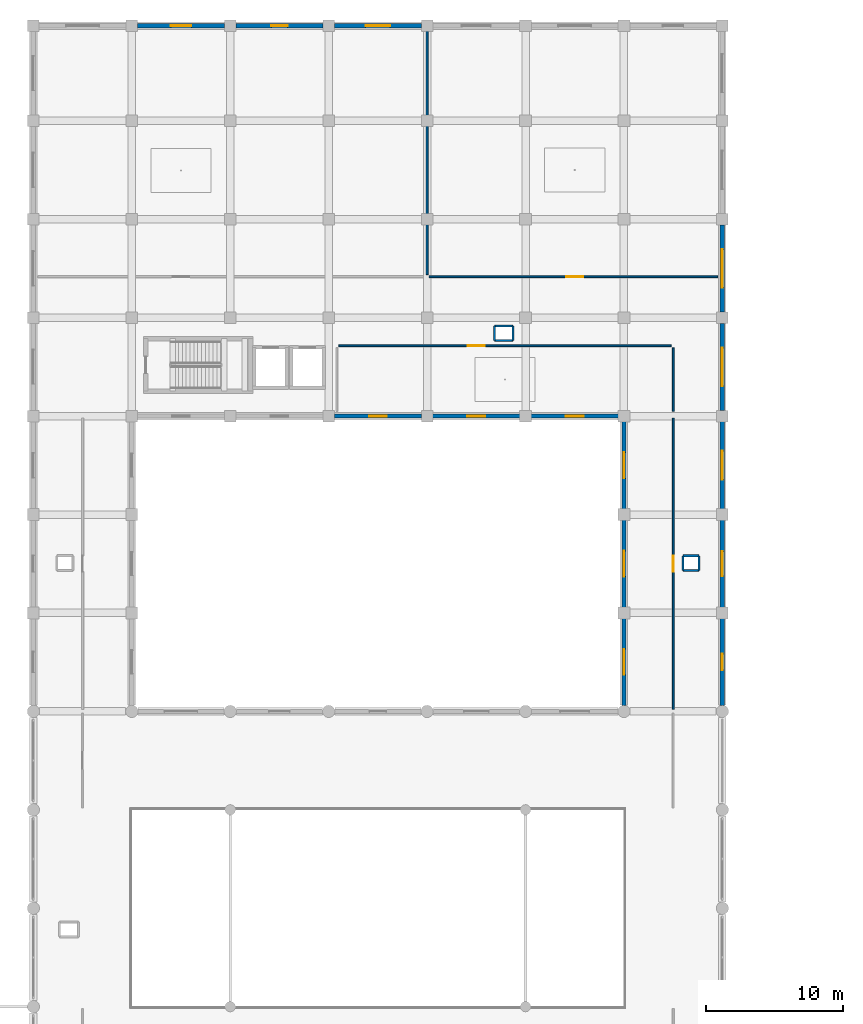
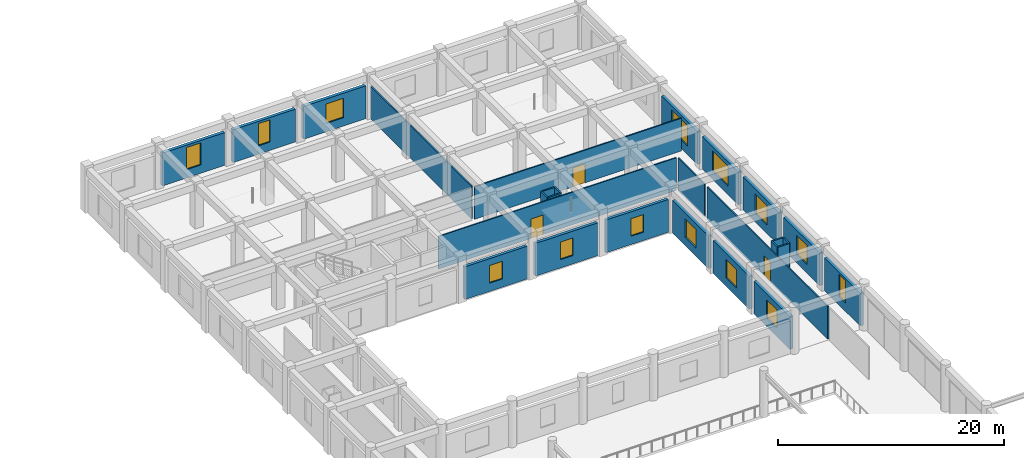
# One storey, part 34 of 54: 27 walls, 14 windows, 3 doors, 17 openings.
"""IFC4 building model written with IfcOpenShell, lengths in metres."""

from ifc_helpers import new_model, si_unit, direction, frame, frame_2d, origin, place, context, subcontext, project, spatial, rectangle, extrude, material, layer, layer_set, type_object, element, fill, save


model = new_model("IFC4")

# Units and contexts
model_context = context("Model", 3, precision=1e-05, world=origin(), true_north=direction((0.0, 1.0)))
body_context = subcontext(model_context, "Body", "Model", "MODEL_VIEW")
ifc_project = project(units=[si_unit("LENGTHUNIT", "METRE"), si_unit("AREAUNIT", "SQUARE_METRE"), si_unit("VOLUMEUNIT", "CUBIC_METRE"), si_unit("PLANEANGLEUNIT", "RADIAN"), si_unit("MASSUNIT", "GRAM", prefix="KILO")], contexts=[model_context])

# Site, building, storey
site_placement = place(None, origin())
site = spatial("IfcSite", under=ifc_project, at=site_placement, CompositionType="ELEMENT")
building_placement = place(site_placement, origin())
building = spatial("IfcBuilding", under=site, at=building_placement, Name="Kazehaya Institute of Natural Sciences", CompositionType="ELEMENT")
storey_placement = place(building_placement, frame((0.0, 0.0, 5.39990234375)))
storey = spatial("IfcBuildingStorey", under=building, at=storey_placement, Name="L01", CompositionType="ELEMENT", Elevation=5.39990234375)

# Wall, opening, window
ifc_material_1 = material(Name="Precast concrete Fc36", Category="concrete")
ifc_layer_1 = layer(ifc_material_1, 0.2900390625, Name="Precast concrete Fc36", Category="concrete")
ifc_layer_set_1 = layer_set([ifc_layer_1], Name="Precast concrete Fc36")
wall_type_1 = type_object("IfcWallType", Name="WL-EXT-290", PredefinedType="SOLIDWALL", material=ifc_layer_set_1)
wall_1_placement = place(storey_placement, frame((104.590087890625, 86.0, 0.0), z_axis=(0.0, 0.0, 1.0), x_axis=(-1.0, 0.0, 0.0)))
wall_1 = element("IfcWall", 1, at=wall_1_placement, inside=storey, type_object=wall_type_1, Name="L01 exterior wall EW-L01-0188", PredefinedType="SOLIDWALL", context=body_context, shape_type="SweptSolid", body=[
    extrude(rectangle(XDim=6.380126953125, YDim=0.2900390625, at=frame_2d((3.18994140625, 0.0))), origin(), (0.0, 0.0, 1.0), 3.5400390625),
])
opening_1_placement = place(wall_1_placement, frame((2.5400390625, 0.0, 0.89990234375)))
opening_1 = element("IfcOpeningElement", 2, at=opening_1_placement, cuts=wall_1, Name="Opening W26", PredefinedType="OPENING", context=body_context, shape_type="SweptSolid", body=[
    extrude(rectangle(XDim=1.300048828125, YDim=1.89990234375, at=frame_2d((0.64990234375, 0.949951171875))), frame((0.0, 0.155029296875, 0.0), z_axis=(0.0, -1.0, 0.0), x_axis=(1.0, 0.0, 0.0)), (0.0, 0.0, 1.0), 0.31005859375),
])
ifc_material_2 = material(Name="Low-E double-glazed aluminium window", Category="aluminium")
window_type_1 = type_object("IfcWindowType", Name="WN-26", PartitioningType="SINGLE_PANEL", PredefinedType="WINDOW", material=ifc_material_2)
window_1_placement = place(opening_1_placement, origin())
window_1 = element("IfcWindow", 3, at=window_1_placement, inside=storey, type_object=window_type_1, Name="L01 facade window 0090", OverallHeight=1.89990234375, OverallWidth=1.300048828125, PartitioningType="SINGLE_PANEL", PredefinedType="WINDOW", context=body_context, shape_type="SweptSolid", body=[
    extrude(rectangle(XDim=1.300048828125, YDim=1.89990234375, at=frame_2d((0.64990234375, 0.949951171875))), frame((0.0, 0.030029296875, 0.0), z_axis=(0.0, -1.0, 0.0), x_axis=(1.0, 0.0, 0.0)), (0.0, 0.0, 1.0), 0.06005859375),
])
fill(opening_1, window_1)

wall_2_placement = place(storey_placement, frame((97.389892578125, 86.0, 0.0), z_axis=(0.0, 0.0, 1.0), x_axis=(-1.0, 0.0, 0.0)))
wall_2 = element("IfcWall", 4, at=wall_2_placement, inside=storey, type_object=wall_type_1, Name="L01 exterior wall EW-L01-0189", PredefinedType="SOLIDWALL", context=body_context, shape_type="SweptSolid", body=[
    extrude(rectangle(XDim=6.3798828125, YDim=0.2900390625, at=frame_2d((3.18994140625, 0.0))), origin(), (0.0, 0.0, 1.0), 3.5400390625),
])
opening_2_placement = place(wall_2_placement, frame((2.5400390625, 0.0, 0.89990234375)))
opening_2 = element("IfcOpeningElement", 5, at=opening_2_placement, cuts=wall_2, Name="Opening W26", PredefinedType="OPENING", context=body_context, shape_type="SweptSolid", body=[
    extrude(rectangle(XDim=1.300048828125, YDim=1.89990234375, at=frame_2d((0.64990234375, 0.949951171875))), frame((0.0, 0.155029296875, 0.0), z_axis=(0.0, -1.0, 0.0), x_axis=(1.0, 0.0, 0.0)), (0.0, 0.0, 1.0), 0.31005859375),
])
window_2_placement = place(opening_2_placement, origin())
window_2 = element("IfcWindow", 6, at=window_2_placement, inside=storey, type_object=window_type_1, Name="L01 facade window 0091", OverallHeight=1.89990234375, OverallWidth=1.300048828125, PartitioningType="SINGLE_PANEL", PredefinedType="WINDOW", context=body_context, shape_type="SweptSolid", body=[
    extrude(rectangle(XDim=1.300048828125, YDim=1.89990234375, at=frame_2d((0.64990234375, 0.949951171875))), frame((0.0, 0.030029296875, 0.0), z_axis=(0.0, -1.0, 0.0), x_axis=(1.0, 0.0, 0.0)), (0.0, 0.0, 1.0), 0.06005859375),
])
fill(opening_2, window_2)

wall_3_placement = place(storey_placement, frame((90.18994140625, 86.0, 0.0), z_axis=(0.0, 0.0, 1.0), x_axis=(-1.0, 0.0, 0.0)))
wall_3 = element("IfcWall", 7, at=wall_3_placement, inside=storey, type_object=wall_type_1, Name="L01 exterior wall EW-L01-0190", PredefinedType="SOLIDWALL", context=body_context, shape_type="SweptSolid", body=[
    extrude(rectangle(XDim=6.3798828125, YDim=0.2900390625, at=frame_2d((3.18994140625, 0.0))), origin(), (0.0, 0.0, 1.0), 3.5400390625),
])
opening_3_placement = place(wall_3_placement, frame((2.5400390625, 0.0, 0.89990234375)))
opening_3 = element("IfcOpeningElement", 8, at=opening_3_placement, cuts=wall_3, Name="Opening W26", PredefinedType="OPENING", context=body_context, shape_type="SweptSolid", body=[
    extrude(rectangle(XDim=1.300048828125, YDim=1.89990234375, at=frame_2d((0.64990234375, 0.949951171875))), frame((0.0, 0.155029296875, 0.0), z_axis=(0.0, -1.0, 0.0), x_axis=(1.0, 0.0, 0.0)), (0.0, 0.0, 1.0), 0.31005859375),
])
window_3_placement = place(opening_3_placement, origin())
window_3 = element("IfcWindow", 9, at=window_3_placement, inside=storey, type_object=window_type_1, Name="L01 facade window 0092", OverallHeight=1.89990234375, OverallWidth=1.300048828125, PartitioningType="SINGLE_PANEL", PredefinedType="WINDOW", context=body_context, shape_type="SweptSolid", body=[
    extrude(rectangle(XDim=1.300048828125, YDim=1.89990234375, at=frame_2d((0.64990234375, 0.949951171875))), frame((0.0, 0.030029296875, 0.0), z_axis=(0.0, -1.0, 0.0), x_axis=(1.0, 0.0, 0.0)), (0.0, 0.0, 1.0), 0.06005859375),
])
fill(opening_3, window_3)

ifc_layer_2 = layer(ifc_material_1, 0.31005859375, Name="Precast concrete Fc36", Category="concrete")
ifc_layer_set_2 = layer_set([ifc_layer_2], Name="Precast concrete Fc36")
wall_type_2 = type_object("IfcWallType", Name="WL-EXT-310", PredefinedType="SOLIDWALL", material=ifc_layer_set_2)
wall_4_placement = place(storey_placement, frame((105.0, 64.8349609375, 0.0), z_axis=(0.0, 0.0, 1.0), x_axis=(0.0, 1.0, 0.0)))
wall_4 = element("IfcWall", 10, at=wall_4_placement, inside=storey, type_object=wall_type_2, Name="L01 exterior wall EW-L01-0164", PredefinedType="SOLIDWALL", context=body_context, shape_type="SweptSolid", body=[
    extrude(rectangle(XDim=6.35498046875, YDim=0.31005859375, at=frame_2d((3.177490234375, 0.0))), origin(), (0.0, 0.0, 1.0), 3.5400390625),
])
opening_4_placement = place(wall_4_placement, frame((2.2275390625, 0.0, 0.89990234375)))
opening_4 = element("IfcOpeningElement", 11, at=opening_4_placement, cuts=wall_4, Name="Opening W23", PredefinedType="OPENING", context=body_context, shape_type="SweptSolid", body=[
    extrude(rectangle(XDim=1.89990234375, YDim=2.0, at=frame_2d((0.949951171875, 1.0))), frame((0.0, 0.1650390625, 0.0), z_axis=(0.0, -1.0, 0.0), x_axis=(1.0, 0.0, 0.0)), (0.0, 0.0, 1.0), 0.330078125),
])
window_type_2 = type_object("IfcWindowType", Name="WN-23", PartitioningType="DOUBLE_PANEL_VERTICAL", PredefinedType="WINDOW", material=ifc_material_2)
window_4_placement = place(opening_4_placement, origin())
window_4 = element("IfcWindow", 12, at=window_4_placement, inside=storey, type_object=window_type_2, Name="L01 facade window 0066", OverallHeight=2.0, OverallWidth=1.89990234375, PartitioningType="DOUBLE_PANEL_VERTICAL", PredefinedType="WINDOW", context=body_context, shape_type="SweptSolid", body=[
    extrude(rectangle(XDim=1.89990234375, YDim=2.0, at=frame_2d((0.949951171875, 1.0))), frame((0.0, 0.030029296875, 0.0), z_axis=(0.0, -1.0, 0.0), x_axis=(1.0, 0.0, 0.0)), (0.0, 0.0, 1.0), 0.06005859375),
])
fill(opening_4, window_4)

wall_5_placement = place(storey_placement, frame((105.0, 72.010009765625, 0.0), z_axis=(0.0, 0.0, 1.0), x_axis=(0.0, 1.0, 0.0)))
wall_5 = element("IfcWall", 13, at=wall_5_placement, inside=storey, type_object=wall_type_2, Name="L01 exterior wall EW-L01-0168", PredefinedType="SOLIDWALL", context=body_context, shape_type="SweptSolid", body=[
    extrude(rectangle(XDim=6.3798828125, YDim=0.31005859375, at=frame_2d((3.18994140625, 0.0))), origin(), (0.0, 0.0, 1.0), 3.5400390625),
])
opening_5_placement = place(wall_5_placement, frame((2.239990234375, 0.0, 0.89990234375)))
opening_5 = element("IfcOpeningElement", 14, at=opening_5_placement, cuts=wall_5, Name="Opening W23", PredefinedType="OPENING", context=body_context, shape_type="SweptSolid", body=[
    extrude(rectangle(XDim=1.89990234375, YDim=2.0, at=frame_2d((0.949951171875, 1.0))), frame((0.0, 0.1650390625, 0.0), z_axis=(0.0, -1.0, 0.0), x_axis=(1.0, 0.0, 0.0)), (0.0, 0.0, 1.0), 0.330078125),
])
window_5_placement = place(opening_5_placement, origin())
window_5 = element("IfcWindow", 15, at=window_5_placement, inside=storey, type_object=window_type_2, Name="L01 facade window 0070", OverallHeight=2.0, OverallWidth=1.89990234375, PartitioningType="DOUBLE_PANEL_VERTICAL", PredefinedType="WINDOW", context=body_context, shape_type="SweptSolid", body=[
    extrude(rectangle(XDim=1.89990234375, YDim=2.0, at=frame_2d((0.949951171875, 1.0))), frame((0.0, 0.030029296875, 0.0), z_axis=(0.0, -1.0, 0.0), x_axis=(1.0, 0.0, 0.0)), (0.0, 0.0, 1.0), 0.06005859375),
])
fill(opening_5, window_5)

wall_6_placement = place(storey_placement, frame((105.0, 79.2099609375, 0.0), z_axis=(0.0, 0.0, 1.0), x_axis=(0.0, 1.0, 0.0)))
wall_6 = element("IfcWall", 16, at=wall_6_placement, inside=storey, type_object=wall_type_2, Name="L01 exterior wall EW-L01-0172", PredefinedType="SOLIDWALL", context=body_context, shape_type="SweptSolid", body=[
    extrude(rectangle(XDim=6.380126953125, YDim=0.31005859375, at=frame_2d((3.18994140625, 0.0))), origin(), (0.0, 0.0, 1.0), 3.5400390625),
])
opening_6_placement = place(wall_6_placement, frame((2.239990234375, 0.0, 0.89990234375)))
opening_6 = element("IfcOpeningElement", 17, at=opening_6_placement, cuts=wall_6, Name="Opening W23", PredefinedType="OPENING", context=body_context, shape_type="SweptSolid", body=[
    extrude(rectangle(XDim=1.89990234375, YDim=2.0, at=frame_2d((0.949951171875, 1.0))), frame((0.0, 0.1650390625, 0.0), z_axis=(0.0, -1.0, 0.0), x_axis=(1.0, 0.0, 0.0)), (0.0, 0.0, 1.0), 0.330078125),
])
window_6_placement = place(opening_6_placement, origin())
window_6 = element("IfcWindow", 18, at=window_6_placement, inside=storey, type_object=window_type_2, Name="L01 facade window 0074", OverallHeight=2.0, OverallWidth=1.89990234375, PartitioningType="DOUBLE_PANEL_VERTICAL", PredefinedType="WINDOW", context=body_context, shape_type="SweptSolid", body=[
    extrude(rectangle(XDim=1.89990234375, YDim=2.0, at=frame_2d((0.949951171875, 1.0))), frame((0.0, 0.030029296875, 0.0), z_axis=(0.0, -1.0, 0.0), x_axis=(1.0, 0.0, 0.0)), (0.0, 0.0, 1.0), 0.06005859375),
])
fill(opening_6, window_6)

ifc_layer_3 = layer(ifc_material_1, 0.320068359375, Name="Precast concrete Fc36", Category="concrete")
ifc_layer_set_3 = layer_set([ifc_layer_3], Name="Precast concrete Fc36")
wall_type_3 = type_object("IfcWallType", Name="WL-EXT-320", PredefinedType="SOLIDWALL", material=ifc_layer_set_3)
wall_7_placement = place(storey_placement, frame((112.199951171875, 71.18994140625, 0.0), z_axis=(0.0, 0.0, 1.0), x_axis=(0.0, -1.0, 0.0)))
wall_7 = element("IfcWall", 19, at=wall_7_placement, inside=storey, type_object=wall_type_3, Name="L01 exterior wall EW-L01-0162", PredefinedType="SOLIDWALL", context=body_context, shape_type="SweptSolid", body=[
    extrude(rectangle(XDim=6.35498046875, YDim=0.320068359375, at=frame_2d((3.177490234375, 0.0))), origin(), (0.0, 0.0, 1.0), 3.5400390625),
])
opening_7_placement = place(wall_7_placement, frame((2.577392578125, 0.0, 0.89990234375)))
opening_7 = element("IfcOpeningElement", 20, at=opening_7_placement, cuts=wall_7, Name="Opening W05", PredefinedType="OPENING", context=body_context, shape_type="SweptSolid", body=[
    extrude(rectangle(XDim=1.199951171875, YDim=2.39990234375, at=frame_2d((0.60009765625, 1.199951171875))), frame((0.0, 0.169921875, 0.0), z_axis=(0.0, -1.0, 0.0), x_axis=(1.0, 0.0, 0.0)), (0.0, 0.0, 1.0), 0.340087890625),
])
window_type_3 = type_object("IfcWindowType", Name="WN-05", PartitioningType="SINGLE_PANEL", PredefinedType="WINDOW", material=ifc_material_2)
window_7_placement = place(opening_7_placement, origin())
window_7 = element("IfcWindow", 21, at=window_7_placement, inside=storey, type_object=window_type_3, Name="L01 facade window 0064", OverallHeight=2.39990234375, OverallWidth=1.199951171875, PartitioningType="SINGLE_PANEL", PredefinedType="WINDOW", context=body_context, shape_type="SweptSolid", body=[
    extrude(rectangle(XDim=1.199951171875, YDim=2.39990234375, at=frame_2d((0.60009765625, 1.199951171875))), frame((0.0, 0.030029296875, 0.0), z_axis=(0.0, -1.0, 0.0), x_axis=(1.0, 0.0, 0.0)), (0.0, 0.0, 1.0), 0.06005859375),
])
fill(opening_7, window_7)

wall_8_placement = place(storey_placement, frame((112.199951171875, 78.389892578125, 0.0), z_axis=(0.0, 0.0, 1.0), x_axis=(0.0, -1.0, 0.0)))
wall_8 = element("IfcWall", 22, at=wall_8_placement, inside=storey, type_object=wall_type_3, Name="L01 exterior wall EW-L01-0166", PredefinedType="SOLIDWALL", context=body_context, shape_type="SweptSolid", body=[
    extrude(rectangle(XDim=6.3798828125, YDim=0.320068359375, at=frame_2d((3.18994140625, 0.0))), origin(), (0.0, 0.0, 1.0), 3.5400390625),
])
opening_8_placement = place(wall_8_placement, frame((2.2900390625, 0.0, 0.89990234375)))
opening_8 = element("IfcOpeningElement", 23, at=opening_8_placement, cuts=wall_8, Name="Opening W06", PredefinedType="OPENING", context=body_context, shape_type="SweptSolid", body=[
    extrude(rectangle(XDim=1.800048828125, YDim=2.10009765625, at=frame_2d((0.89990234375, 1.050048828125))), frame((0.0, 0.169921875, 0.0), z_axis=(0.0, -1.0, 0.0), x_axis=(1.0, 0.0, 0.0)), (0.0, 0.0, 1.0), 0.340087890625),
])
window_type_4 = type_object("IfcWindowType", Name="WN-06", PartitioningType="DOUBLE_PANEL_VERTICAL", PredefinedType="WINDOW", material=ifc_material_2)
window_8_placement = place(opening_8_placement, origin())
window_8 = element("IfcWindow", 24, at=window_8_placement, inside=storey, type_object=window_type_4, Name="L01 facade window 0068", OverallHeight=2.10009765625, OverallWidth=1.800048828125, PartitioningType="DOUBLE_PANEL_VERTICAL", PredefinedType="WINDOW", context=body_context, shape_type="SweptSolid", body=[
    extrude(rectangle(XDim=1.800048828125, YDim=2.10009765625, at=frame_2d((0.89990234375, 1.050048828125))), frame((0.0, 0.030029296875, 0.0), z_axis=(0.0, -1.0, 0.0), x_axis=(1.0, 0.0, 0.0)), (0.0, 0.0, 1.0), 0.06005859375),
])
fill(opening_8, window_8)

wall_9_placement = place(storey_placement, frame((112.199951171875, 85.590087890625, 0.0), z_axis=(0.0, 0.0, 1.0), x_axis=(0.0, -1.0, 0.0)))
wall_9 = element("IfcWall", 25, at=wall_9_placement, inside=storey, type_object=wall_type_3, Name="L01 exterior wall EW-L01-0170", PredefinedType="SOLIDWALL", context=body_context, shape_type="SweptSolid", body=[
    extrude(rectangle(XDim=6.380126953125, YDim=0.320068359375, at=frame_2d((3.18994140625, 0.0))), origin(), (0.0, 0.0, 1.0), 3.5400390625),
])
opening_9_placement = place(wall_9_placement, frame((2.139892578125, 0.0, 0.89990234375)))
opening_9 = element("IfcOpeningElement", 26, at=opening_9_placement, cuts=wall_9, Name="Opening W07", PredefinedType="OPENING", context=body_context, shape_type="SweptSolid", body=[
    extrude(rectangle(XDim=2.10009765625, YDim=2.10009765625, at=frame_2d((1.050048828125, 1.050048828125))), frame((0.0, 0.169921875, 0.0), z_axis=(0.0, -1.0, 0.0), x_axis=(1.0, 0.0, 0.0)), (0.0, 0.0, 1.0), 0.340087890625),
])
window_type_5 = type_object("IfcWindowType", Name="WN-07", PartitioningType="DOUBLE_PANEL_VERTICAL", PredefinedType="WINDOW", material=ifc_material_2)
window_9_placement = place(opening_9_placement, origin())
window_9 = element("IfcWindow", 27, at=window_9_placement, inside=storey, type_object=window_type_5, Name="L01 facade window 0072", OverallHeight=2.10009765625, OverallWidth=2.10009765625, PartitioningType="DOUBLE_PANEL_VERTICAL", PredefinedType="WINDOW", context=body_context, shape_type="SweptSolid", body=[
    extrude(rectangle(XDim=2.10009765625, YDim=2.10009765625, at=frame_2d((1.050048828125, 1.050048828125))), frame((0.0, 0.030029296875, 0.0), z_axis=(0.0, -1.0, 0.0), x_axis=(1.0, 0.0, 0.0)), (0.0, 0.0, 1.0), 0.06005859375),
])
fill(opening_9, window_9)

wall_10_placement = place(storey_placement, frame((112.199951171875, 92.7900390625, 0.0), z_axis=(0.0, 0.0, 1.0), x_axis=(0.0, -1.0, 0.0)))
wall_10 = element("IfcWall", 28, at=wall_10_placement, inside=storey, type_object=wall_type_3, Name="L01 exterior wall EW-L01-0174", PredefinedType="SOLIDWALL", context=body_context, shape_type="SweptSolid", body=[
    extrude(rectangle(XDim=6.380126953125, YDim=0.320068359375, at=frame_2d((3.18994140625, 0.0))), origin(), (0.0, 0.0, 1.0), 3.5400390625),
])
opening_10_placement = place(wall_10_placement, frame((1.7900390625, 0.0, 0.89990234375)))
opening_10 = element("IfcOpeningElement", 29, at=opening_10_placement, cuts=wall_10, Name="Opening W25", PredefinedType="OPENING", context=body_context, shape_type="SweptSolid", body=[
    extrude(rectangle(XDim=2.800048828125, YDim=2.199951171875, at=frame_2d((1.39990234375, 1.10009765625))), frame((0.0, 0.169921875, 0.0), z_axis=(0.0, -1.0, 0.0), x_axis=(1.0, 0.0, 0.0)), (0.0, 0.0, 1.0), 0.340087890625),
])
window_type_6 = type_object("IfcWindowType", Name="WN-25", PartitioningType="DOUBLE_PANEL_VERTICAL", PredefinedType="WINDOW", material=ifc_material_2)
window_10_placement = place(opening_10_placement, origin())
window_10 = element("IfcWindow", 30, at=window_10_placement, inside=storey, type_object=window_type_6, Name="L01 facade window 0076", OverallHeight=2.199951171875, OverallWidth=2.800048828125, PartitioningType="DOUBLE_PANEL_VERTICAL", PredefinedType="WINDOW", context=body_context, shape_type="SweptSolid", body=[
    extrude(rectangle(XDim=2.800048828125, YDim=2.199951171875, at=frame_2d((1.39990234375, 1.10009765625))), frame((0.0, 0.030029296875, 0.0), z_axis=(0.0, -1.0, 0.0), x_axis=(1.0, 0.0, 0.0)), (0.0, 0.0, 1.0), 0.06005859375),
])
fill(opening_10, window_10)

wall_11_placement = place(storey_placement, frame((112.199951171875, 99.989990234375, 0.0), z_axis=(0.0, 0.0, 1.0), x_axis=(0.0, -1.0, 0.0)))
wall_11 = element("IfcWall", 31, at=wall_11_placement, inside=storey, type_object=wall_type_3, Name="L01 exterior wall EW-L01-0176", PredefinedType="SOLIDWALL", context=body_context, shape_type="SweptSolid", body=[
    extrude(rectangle(XDim=6.3798828125, YDim=0.320068359375, at=frame_2d((3.18994140625, 0.0))), origin(), (0.0, 0.0, 1.0), 3.5400390625),
])
opening_11_placement = place(wall_11_placement, frame((1.7900390625, 0.0, 0.89990234375)))
opening_11 = element("IfcOpeningElement", 32, at=opening_11_placement, cuts=wall_11, Name="Opening W25", PredefinedType="OPENING", context=body_context, shape_type="SweptSolid", body=[
    extrude(rectangle(XDim=2.800048828125, YDim=2.199951171875, at=frame_2d((1.39990234375, 1.10009765625))), frame((0.0, 0.169921875, 0.0), z_axis=(0.0, -1.0, 0.0), x_axis=(1.0, 0.0, 0.0)), (0.0, 0.0, 1.0), 0.340087890625),
])
window_11_placement = place(opening_11_placement, origin())
window_11 = element("IfcWindow", 33, at=window_11_placement, inside=storey, type_object=window_type_6, Name="L01 facade window 0078", OverallHeight=2.199951171875, OverallWidth=2.800048828125, PartitioningType="DOUBLE_PANEL_VERTICAL", PredefinedType="WINDOW", context=body_context, shape_type="SweptSolid", body=[
    extrude(rectangle(XDim=2.800048828125, YDim=2.199951171875, at=frame_2d((1.39990234375, 1.10009765625))), frame((0.0, 0.030029296875, 0.0), z_axis=(0.0, -1.0, 0.0), x_axis=(1.0, 0.0, 0.0)), (0.0, 0.0, 1.0), 0.06005859375),
])
fill(opening_11, window_11)

wall_12_placement = place(storey_placement, frame((69.409912109375, 114.550048828125, 0.0), z_axis=(0.0, 0.0, 1.0), x_axis=(1.0, 0.0, 0.0)))
wall_12 = element("IfcWall", 34, at=wall_12_placement, inside=storey, type_object=wall_type_3, Name="L01 exterior wall EW-L01-0182", PredefinedType="SOLIDWALL", context=body_context, shape_type="SweptSolid", body=[
    extrude(rectangle(XDim=6.380126953125, YDim=0.320068359375, at=frame_2d((3.18994140625, 0.0))), origin(), (0.0, 0.0, 1.0), 3.5400390625),
])
opening_12_placement = place(wall_12_placement, frame((2.43994140625, 0.0, 0.89990234375)))
opening_12 = element("IfcOpeningElement", 35, at=opening_12_placement, cuts=wall_12, Name="Opening W04", PredefinedType="OPENING", context=body_context, shape_type="SweptSolid", body=[
    extrude(rectangle(XDim=1.5, YDim=2.39990234375, at=frame_2d((0.75, 1.199951171875))), frame((0.0, 0.169921875, 0.0), z_axis=(0.0, -1.0, 0.0), x_axis=(1.0, 0.0, 0.0)), (0.0, 0.0, 1.0), 0.340087890625),
])
window_type_7 = type_object("IfcWindowType", Name="WN-04", PartitioningType="SINGLE_PANEL", PredefinedType="WINDOW", material=ifc_material_2)
window_12_placement = place(opening_12_placement, origin())
window_12 = element("IfcWindow", 36, at=window_12_placement, inside=storey, type_object=window_type_7, Name="L01 facade window 0084", OverallHeight=2.39990234375, OverallWidth=1.5, PartitioningType="SINGLE_PANEL", PredefinedType="WINDOW", context=body_context, shape_type="SweptSolid", body=[
    extrude(rectangle(XDim=1.5, YDim=2.39990234375, at=frame_2d((0.75, 1.199951171875))), frame((0.0, 0.030029296875, 0.0), z_axis=(0.0, -1.0, 0.0), x_axis=(1.0, 0.0, 0.0)), (0.0, 0.0, 1.0), 0.06005859375),
])
fill(opening_12, window_12)

wall_13_placement = place(storey_placement, frame((76.610107421875, 114.550048828125, 0.0), z_axis=(0.0, 0.0, 1.0), x_axis=(1.0, 0.0, 0.0)))
wall_13 = element("IfcWall", 37, at=wall_13_placement, inside=storey, type_object=wall_type_3, Name="L01 exterior wall EW-L01-0183", PredefinedType="SOLIDWALL", context=body_context, shape_type="SweptSolid", body=[
    extrude(rectangle(XDim=6.3798828125, YDim=0.320068359375, at=frame_2d((3.18994140625, 0.0))), origin(), (0.0, 0.0, 1.0), 3.5400390625),
])
opening_13_placement = place(wall_13_placement, frame((2.590087890625, 0.0, 0.89990234375)))
opening_13 = element("IfcOpeningElement", 38, at=opening_13_placement, cuts=wall_13, Name="Opening W05", PredefinedType="OPENING", context=body_context, shape_type="SweptSolid", body=[
    extrude(rectangle(XDim=1.199951171875, YDim=2.39990234375, at=frame_2d((0.60009765625, 1.199951171875))), frame((0.0, 0.169921875, 0.0), z_axis=(0.0, -1.0, 0.0), x_axis=(1.0, 0.0, 0.0)), (0.0, 0.0, 1.0), 0.340087890625),
])
window_13_placement = place(opening_13_placement, origin())
window_13 = element("IfcWindow", 39, at=window_13_placement, inside=storey, type_object=window_type_3, Name="L01 facade window 0085", OverallHeight=2.39990234375, OverallWidth=1.199951171875, PartitioningType="SINGLE_PANEL", PredefinedType="WINDOW", context=body_context, shape_type="SweptSolid", body=[
    extrude(rectangle(XDim=1.199951171875, YDim=2.39990234375, at=frame_2d((0.60009765625, 1.199951171875))), frame((0.0, 0.030029296875, 0.0), z_axis=(0.0, -1.0, 0.0), x_axis=(1.0, 0.0, 0.0)), (0.0, 0.0, 1.0), 0.06005859375),
])
fill(opening_13, window_13)

wall_14_placement = place(storey_placement, frame((83.81005859375, 114.550048828125, 0.0), z_axis=(0.0, 0.0, 1.0), x_axis=(1.0, 0.0, 0.0)))
wall_14 = element("IfcWall", 40, at=wall_14_placement, inside=storey, type_object=wall_type_3, Name="L01 exterior wall EW-L01-0184", PredefinedType="SOLIDWALL", context=body_context, shape_type="SweptSolid", body=[
    extrude(rectangle(XDim=6.3798828125, YDim=0.320068359375, at=frame_2d((3.18994140625, 0.0))), origin(), (0.0, 0.0, 1.0), 3.5400390625),
])
opening_14_placement = place(wall_14_placement, frame((2.2900390625, 0.0, 0.89990234375)))
opening_14 = element("IfcOpeningElement", 41, at=opening_14_placement, cuts=wall_14, Name="Opening W06", PredefinedType="OPENING", context=body_context, shape_type="SweptSolid", body=[
    extrude(rectangle(XDim=1.800048828125, YDim=2.10009765625, at=frame_2d((0.89990234375, 1.050048828125))), frame((0.0, 0.169921875, 0.0), z_axis=(0.0, -1.0, 0.0), x_axis=(1.0, 0.0, 0.0)), (0.0, 0.0, 1.0), 0.340087890625),
])
window_14_placement = place(opening_14_placement, origin())
window_14 = element("IfcWindow", 42, at=window_14_placement, inside=storey, type_object=window_type_4, Name="L01 facade window 0086", OverallHeight=2.10009765625, OverallWidth=1.800048828125, PartitioningType="DOUBLE_PANEL_VERTICAL", PredefinedType="WINDOW", context=body_context, shape_type="SweptSolid", body=[
    extrude(rectangle(XDim=1.800048828125, YDim=2.10009765625, at=frame_2d((0.89990234375, 1.050048828125))), frame((0.0, 0.030029296875, 0.0), z_axis=(0.0, -1.0, 0.0), x_axis=(1.0, 0.0, 0.0)), (0.0, 0.0, 1.0), 0.06005859375),
])
fill(opening_14, window_14)

# Wall, opening, door
ifc_material_3 = material(Name="Gypsum write-up office partition", Category="gypsum")
ifc_layer_4 = layer(ifc_material_3, 0.1201171875, Name="Gypsum write-up office partition", Category="gypsum")
ifc_layer_set_4 = layer_set([ifc_layer_4], Name="Gypsum write-up office partition")
wall_type_4 = type_object("IfcWallType", Name="WL-PART-120", PredefinedType="PARTITIONING", material=ifc_layer_set_4)
wall_15_placement = place(storey_placement, frame((108.60009765625, 85.85009765625, 0.0), z_axis=(0.0, 0.0, 1.0), x_axis=(0.0, -1.0, 0.0)))
wall_15 = element("IfcWall", 43, at=wall_15_placement, inside=storey, type_object=wall_type_4, Name="L01 Researcher Write-up Office partition IW-L01-0122", PredefinedType="PARTITIONING", context=body_context, shape_type="SweptSolid", body=[
    extrude(rectangle(XDim=21.300048828125, YDim=0.1201171875, at=frame_2d((10.64990234375, 0.0))), origin(), (0.0, 0.0, 1.0), 3.52001953125),
])
opening_15_placement = place(wall_15_placement, frame((10.054931640625, 0.0, 0.0)))
opening_15 = element("IfcOpeningElement", 44, at=opening_15_placement, cuts=wall_15, Name="Opening D-L01-0094", PredefinedType="OPENING", context=body_context, shape_type="SweptSolid", body=[
    extrude(rectangle(XDim=1.18994140625, YDim=2.159912109375, at=frame_2d((0.594970703125, 1.080078125))), frame((0.0, 0.070068359375, 0.0), z_axis=(0.0, -1.0, 0.0), x_axis=(1.0, 0.0, 0.0)), (0.0, 0.0, 1.0), 0.14013671875),
])
ifc_material_4 = material(Name="Flush timber and aluminium laboratory door", Category="wood")
door_type_1 = type_object("IfcDoorType", Name="DT-INT-35", OperationType="NOTDEFINED", PredefinedType="DOOR", material=ifc_material_4)
door_1_placement = place(opening_15_placement, origin())
door_1 = element("IfcDoor", 45, at=door_1_placement, inside=storey, type_object=door_type_1, Name="L01 Researcher Write-up Office door D-L01-0094", OperationType="SINGLE_SWING_RIGHT", OverallHeight=2.159912109375, OverallWidth=1.18994140625, PredefinedType="DOOR", context=body_context, shape_type="SweptSolid", body=[
    extrude(rectangle(XDim=1.18994140625, YDim=2.159912109375, at=frame_2d((0.594970703125, 1.080078125))), frame((0.0, 0.02490234375, 0.0), z_axis=(0.0, -1.0, 0.0), x_axis=(1.0, 0.0, 0.0)), (0.0, 0.0, 1.0), 0.050048828125),
])
fill(opening_15, door_1)

wall_16_placement = place(storey_placement, frame((84.14990234375, 91.14990234375, 0.0), z_axis=(0.0, 0.0, 1.0), x_axis=(1.0, 0.0, 0.0)))
wall_16 = element("IfcWall", 46, at=wall_16_placement, inside=storey, type_object=wall_type_4, Name="L01 Researcher Write-up Office partition IW-L01-0126", PredefinedType="PARTITIONING", context=body_context, shape_type="SweptSolid", body=[
    extrude(rectangle(XDim=24.300048828125, YDim=0.1201171875, at=frame_2d((12.14990234375, 0.0))), origin(), (0.0, 0.0, 1.0), 3.52001953125),
])
opening_16_placement = place(wall_16_placement, frame((9.43505859375, 0.0, 0.0)))
opening_16 = element("IfcOpeningElement", 47, at=opening_16_placement, cuts=wall_16, Name="Opening D-L01-0097", PredefinedType="OPENING", context=body_context, shape_type="SweptSolid", body=[
    extrude(rectangle(XDim=1.22998046875, YDim=2.10009765625, at=frame_2d((0.614990234375, 1.050048828125))), frame((0.0, 0.070068359375, 0.0), z_axis=(0.0, -1.0, 0.0), x_axis=(1.0, 0.0, 0.0)), (0.0, 0.0, 1.0), 0.14013671875),
])
door_type_2 = type_object("IfcDoorType", Name="DT-INT-38", OperationType="NOTDEFINED", PredefinedType="DOOR", material=ifc_material_4)
door_2_placement = place(opening_16_placement, origin())
door_2 = element("IfcDoor", 48, at=door_2_placement, inside=storey, type_object=door_type_2, Name="L01 Researcher Write-up Office door D-L01-0097", OperationType="SINGLE_SWING_LEFT", OverallHeight=2.10009765625, OverallWidth=1.22998046875, PredefinedType="DOOR", context=body_context, shape_type="SweptSolid", body=[
    extrude(rectangle(XDim=1.22998046875, YDim=2.10009765625, at=frame_2d((0.614990234375, 1.050048828125))), frame((0.0, 0.02490234375, 0.0), z_axis=(0.0, -1.0, 0.0), x_axis=(1.0, 0.0, 0.0)), (0.0, 0.0, 1.0), 0.050048828125),
])
fill(opening_16, door_2)

# Wall
wall_17_placement = place(storey_placement, frame((108.60009765625, 91.0, 0.0), z_axis=(0.0, 0.0, 1.0), x_axis=(0.0, -1.0, 0.0)))
element("IfcWall", 49, at=wall_17_placement, inside=storey, type_object=wall_type_4, Name="L01 Researcher Write-up Office partition IW-L01-0128", PredefinedType="PARTITIONING", context=body_context, shape_type="SweptSolid", body=[
    extrude(rectangle(XDim=4.64990234375, YDim=0.1201171875, at=frame_2d((2.324951171875, 0.0))), origin(), (0.0, 0.0, 1.0), 3.52001953125),
])

# Wall, opening, door
ifc_material_5 = material(Name="Moisture-resistant WC partition")
ifc_layer_5 = layer(ifc_material_5, 0.1298828125, Name="Moisture-resistant WC partition")
ifc_layer_set_5 = layer_set([ifc_layer_5], Name="Moisture-resistant WC partition")
wall_type_5 = type_object("IfcWallType", Name="WL-PART-130", PredefinedType="PARTITIONING", material=ifc_layer_set_5)
wall_18_placement = place(storey_placement, frame((111.85009765625, 96.199951171875, 0.0), z_axis=(0.0, 0.0, 1.0), x_axis=(-1.0, 0.0, 0.0)))
wall_18 = element("IfcWall", 50, at=wall_18_placement, inside=storey, type_object=wall_type_5, Name="L01 Laser Interferometry Lab partition IW-L01-0125", PredefinedType="PARTITIONING", context=body_context, shape_type="SweptSolid", body=[
    extrude(rectangle(XDim=21.10009765625, YDim=0.1298828125, at=frame_2d((10.550048828125, 0.0))), origin(), (0.0, 0.0, 1.0), 3.52001953125),
])
opening_17_placement = place(wall_18_placement, frame((9.8349609375, 0.0, 0.0)))
opening_17 = element("IfcOpeningElement", 51, at=opening_17_placement, cuts=wall_18, Name="Opening D-L01-0096", PredefinedType="OPENING", context=body_context, shape_type="SweptSolid", body=[
    extrude(rectangle(XDim=1.22998046875, YDim=2.050048828125, at=frame_2d((0.614990234375, 1.02490234375))), frame((0.0, 0.074951171875, 0.0), z_axis=(0.0, -1.0, 0.0), x_axis=(1.0, 0.0, 0.0)), (0.0, 0.0, 1.0), 0.14990234375),
])
door_type_3 = type_object("IfcDoorType", Name="DT-INT-37", OperationType="NOTDEFINED", PredefinedType="DOOR", material=ifc_material_4)
door_3_placement = place(opening_17_placement, origin())
door_3 = element("IfcDoor", 52, at=door_3_placement, inside=storey, type_object=door_type_3, Name="L01 Laser Interferometry Lab door D-L01-0096", OperationType="SINGLE_SWING_RIGHT", OverallHeight=2.050048828125, OverallWidth=1.22998046875, PredefinedType="DOOR", context=body_context, shape_type="SweptSolid", body=[
    extrude(rectangle(XDim=1.22998046875, YDim=2.050048828125, at=frame_2d((0.614990234375, 1.02490234375))), frame((0.0, 0.02490234375, 0.0), z_axis=(0.0, -1.0, 0.0), x_axis=(1.0, 0.0, 0.0)), (0.0, 0.0, 1.0), 0.050048828125),
])
fill(opening_17, door_3)

# Walls
ifc_material_6 = material(Name="Gypsum partition", Category="gypsum")
ifc_layer_6 = layer(ifc_material_6, 0.139892578125, Name="Gypsum partition", Category="gypsum")
ifc_layer_set_6 = layer_set([ifc_layer_6], Name="Gypsum partition")
wall_type_6 = type_object("IfcWallType", Name="WL-PART-140", PredefinedType="PARTITIONING", material=ifc_layer_set_6)
wall_19_placement = place(storey_placement, frame((90.60009765625, 114.199951171875, 0.0), z_axis=(0.0, 0.0, 1.0), x_axis=(0.0, -1.0, 0.0)))
element("IfcWall", 53, at=wall_19_placement, inside=storey, type_object=wall_type_6, Name="L01 Photonics Optics Laboratory partition IW-L01-0124", PredefinedType="PARTITIONING", context=body_context, shape_type="SweptSolid", body=[
    extrude(rectangle(XDim=17.849853515625, YDim=0.139892578125, at=frame_2d((8.9248046875, 0.0))), origin(), (0.0, 0.0, 1.0), 3.52001953125),
])
ifc_material_7 = material(Name="Concrete Fc36", Category="concrete")
ifc_layer_7 = layer(ifc_material_7, 0.14990234375, Name="Concrete Fc36", Category="concrete")
ifc_layer_set_7 = layer_set([ifc_layer_7], Name="Concrete Fc36")
wall_type_7 = type_object("IfcWallType", Name="WL-RISER-150", PredefinedType="PARTITIONING", material=ifc_layer_set_7)
for number, where, z_axis, x_axis, name in (
    (54, (110.485107421875, 74.715087890625, 0.0), (0.0, 0.0, 1.0), (-1.0, 0.0, 0.0), "L01 fume exhaust riser shaft wall 22"),
    (55, (109.31494140625, 75.784912109375, 0.0), (0.0, 0.0, 1.0), (1.0, 0.0, 0.0), "L01 fume exhaust riser shaft wall 22"),
):
    element("IfcWall", number, at=place(storey_placement, frame(where, z_axis=z_axis, x_axis=x_axis)), inside=storey, type_object=wall_type_7, Name=name, PredefinedType="PARTITIONING", context=body_context, shape_type="SweptSolid", body=[
        extrude(rectangle(XDim=1.170166015625, YDim=0.14990234375, at=frame_2d((0.5849609375, 0.0))), origin(), (0.0, 0.0, 1.0), 3.52001953125),
    ])
for number, where, z_axis, x_axis, name in (
    (56, (109.31494140625, 74.715087890625, 0.0), (0.0, 0.0, 1.0), (0.0, 1.0, 0.0), "L01 fume exhaust riser shaft wall 22"),
    (57, (110.485107421875, 75.784912109375, 0.0), (0.0, 0.0, 1.0), (0.0, -1.0, 0.0), "L01 fume exhaust riser shaft wall 22"),
):
    element("IfcWall", number, at=place(storey_placement, frame(where, z_axis=z_axis, x_axis=x_axis)), inside=storey, type_object=wall_type_7, Name=name, PredefinedType="PARTITIONING", context=body_context, shape_type="SweptSolid", body=[
        extrude(rectangle(XDim=1.06982421875, YDim=0.14990234375, at=frame_2d((0.534912109375, 0.0))), origin(), (0.0, 0.0, 1.0), 3.52001953125),
    ])
for number, where, z_axis, x_axis, name in (
    (58, (96.885009765625, 91.514892578125, 0.0), (0.0, 0.0, 1.0), (-1.0, 0.0, 0.0), "L01 fume exhaust riser shaft wall 23"),
    (59, (95.514892578125, 92.5849609375, 0.0), (0.0, 0.0, 1.0), (1.0, 0.0, 0.0), "L01 fume exhaust riser shaft wall 23"),
):
    element("IfcWall", number, at=place(storey_placement, frame(where, z_axis=z_axis, x_axis=x_axis)), inside=storey, type_object=wall_type_7, Name=name, PredefinedType="PARTITIONING", context=body_context, shape_type="SweptSolid", body=[
        extrude(rectangle(XDim=1.3701171875, YDim=0.14990234375, at=frame_2d((0.68505859375, 0.0))), origin(), (0.0, 0.0, 1.0), 3.52001953125),
    ])
for number, where, z_axis, x_axis, name in (
    (60, (95.514892578125, 91.514892578125, 0.0), (0.0, 0.0, 1.0), (0.0, 1.0, 0.0), "L01 fume exhaust riser shaft wall 23"),
    (61, (96.885009765625, 92.5849609375, 0.0), (0.0, 0.0, 1.0), (0.0, -1.0, 0.0), "L01 fume exhaust riser shaft wall 23"),
):
    element("IfcWall", number, at=place(storey_placement, frame(where, z_axis=z_axis, x_axis=x_axis)), inside=storey, type_object=wall_type_7, Name=name, PredefinedType="PARTITIONING", context=body_context, shape_type="SweptSolid", body=[
        extrude(rectangle(XDim=1.070068359375, YDim=0.14990234375, at=frame_2d((0.53515625, 0.0))), origin(), (0.0, 0.0, 1.0), 3.52001953125),
    ])

save(model, "model.ifc")
